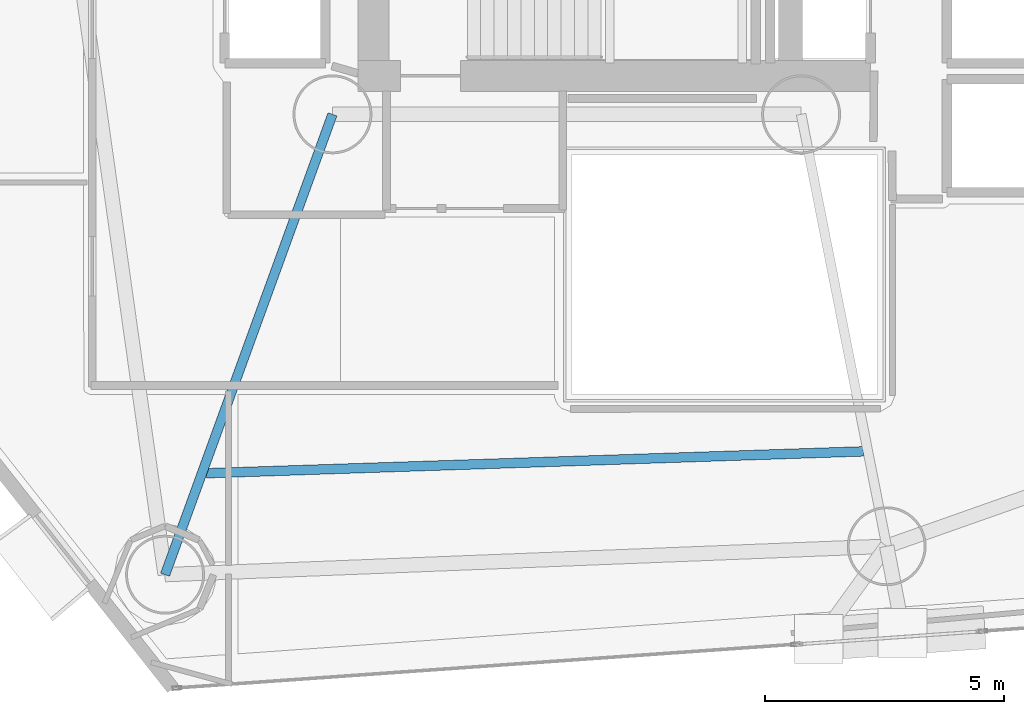
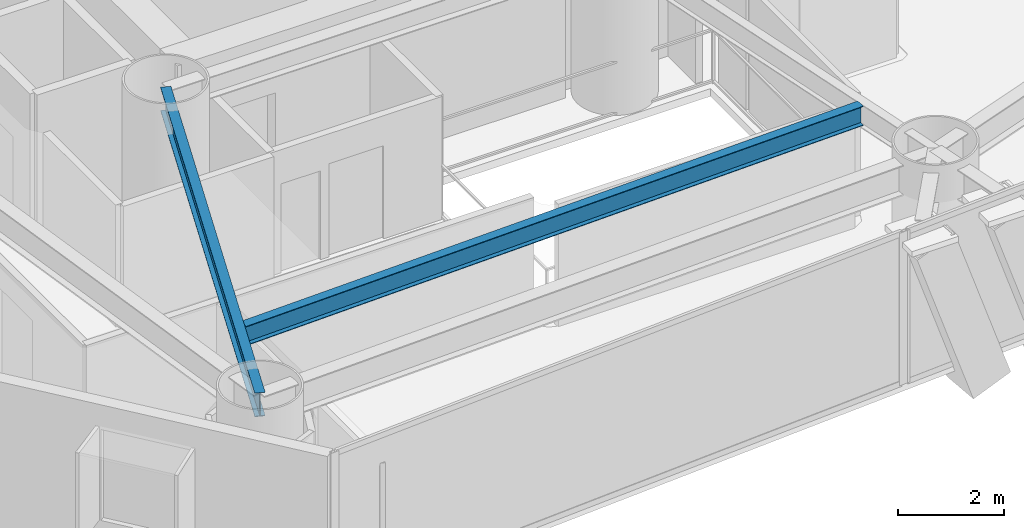
# One storey, part 3 of 24: 2 beams.
"""IFC4 building model written with IfcOpenShell, lengths in metres."""

from ifc_helpers import new_model, si_unit, direction, frame, origin, origin_2d, place, context, subcontext, project, spatial, i_section, extrude, material, material_profile, profile_set, type_object, element, save


model = new_model("IFC4")

# Units and contexts
model_context = context("Model", 3, precision=1e-05, world=origin(), true_north=direction((0.0, 1.0)))
body_context = subcontext(model_context, "Body", "Model", "MODEL_VIEW")
ifc_project = project(units=[si_unit("LENGTHUNIT", "METRE"), si_unit("AREAUNIT", "SQUARE_METRE"), si_unit("VOLUMEUNIT", "CUBIC_METRE"), si_unit("PLANEANGLEUNIT", "RADIAN"), si_unit("MASSUNIT", "GRAM", prefix="KILO")], contexts=[model_context])

# Site, building, storey
site_placement = place(None, origin())
site = spatial("IfcSite", under=ifc_project, at=site_placement, CompositionType="ELEMENT")
building_placement = place(site_placement, origin())
building = spatial("IfcBuilding", under=site, at=building_placement, Name="Qianvela Tower", CompositionType="ELEMENT")
storey_placement = place(building_placement, frame((0.0, 0.0, 59.89990234375)))
storey = spatial("IfcBuildingStorey", under=building, at=storey_placement, Name="L14", CompositionType="ELEMENT", Elevation=59.89990234375)

# Beams
ifc_material_1 = material(Name="Steel Q355B", Category="steel")
ifc_material_profile_1 = material_profile(ifc_material_1, i_section(OverallWidth=0.199951171875, OverallDepth=0.449951171875, WebThickness=0.009033203125, FlangeThickness=0.013916015625, at=origin_2d()), Name="HN450x200x9x14")
ifc_profile_set_1 = profile_set([ifc_material_profile_1], Name="Steel Q355B")
beam_type_1 = type_object("IfcBeamType", Name="BM-HN450-JOIST", PredefinedType="JOIST", material=ifc_profile_set_1)
beam_1_placement = place(storey_placement, frame((25.9658203125, 16.345703125, 3.293212890625), z_axis=(0.999447329793, 0.033242066273, 0.0), x_axis=(-0.033242066273, 0.999447329793, 0.0)))
element("IfcBeam", 1, at=beam_1_placement, inside=storey, type_object=beam_type_1, Name="L14 Secondary Composite Floor Joist 5.3", PredefinedType="JOIST", context=body_context, shape_type="SweptSolid", body=[
    extrude(i_section(OverallWidth=0.199951171875, OverallDepth=0.449951171875, WebThickness=0.009033203125, FlangeThickness=0.013916015625, at=origin_2d()), origin(), (0.0, 0.0, 1.0), 13.7412109375),
])
ifc_material_2 = material(Name="Steel Q355B", Category="steel")
ifc_material_profile_2 = material_profile(ifc_material_2, i_section(OverallWidth=0.199951171875, OverallDepth=0.550048828125, WebThickness=0.010009765625, FlangeThickness=0.01611328125, at=origin_2d()), Name="HN550x200x10x16")
ifc_profile_set_2 = profile_set([ifc_material_profile_2], Name="Steel Q355B")
beam_type_2 = type_object("IfcBeamType", Name="BM-HN550-GIRD", PredefinedType="BEAM", material=ifc_profile_set_2)
beam_2_placement = place(storey_placement, frame((28.60009765625, 23.85009765625, 3.2431640625), z_axis=(-0.341743063087, -0.939793423488, 0.0), x_axis=(0.939793423488, -0.341743063087, 0.0)))
element("IfcBeam", 2, at=beam_2_placement, inside=storey, type_object=beam_type_2, Name="L14 Radial Primary Floor Girder 5", PredefinedType="BEAM", context=body_context, shape_type="SweptSolid", body=[
    extrude(i_section(OverallWidth=0.199951171875, OverallDepth=0.550048828125, WebThickness=0.010009765625, FlangeThickness=0.01611328125, at=origin_2d()), origin(), (0.0, 0.0, 1.0), 10.24169921875),
])

save(model, "model.ifc")
